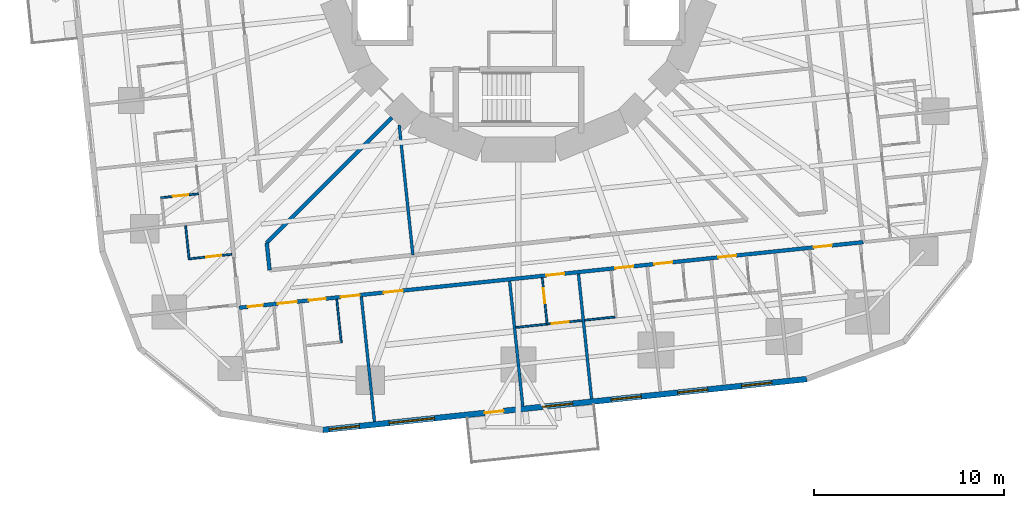
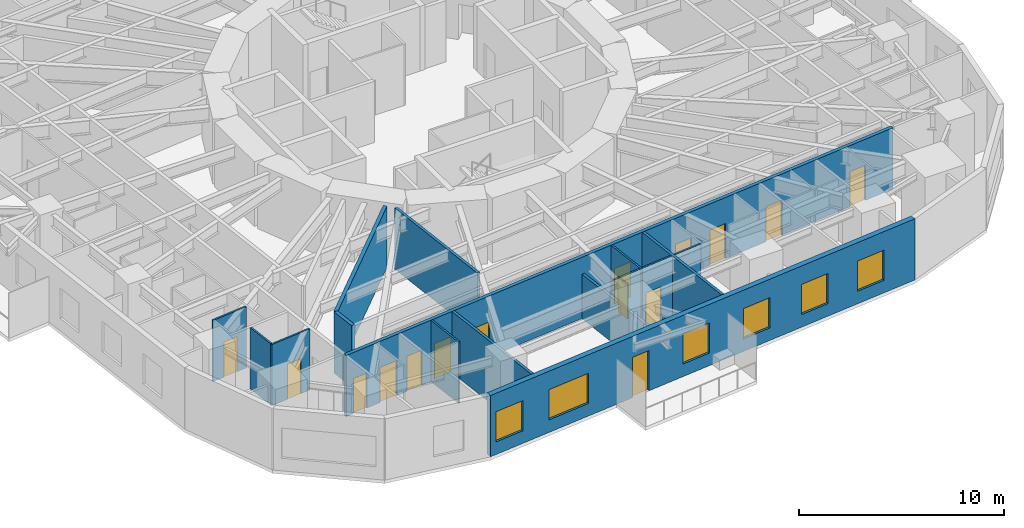
# One storey, part 5 of 14: 16 walls, 15 doors, 6 windows, 21 openings.
"""IFC4 building model written with IfcOpenShell, lengths in metres."""

from ifc_helpers import new_model, si_unit, direction, frame, frame_2d, origin, place, context, subcontext, project, spatial, rectangle, extrude, material, layer, layer_set, type_object, element, fill, save


model = new_model("IFC4")

# Units and contexts
model_context = context("Model", 3, precision=1e-05, world=origin(), true_north=direction((0.0, 1.0)))
body_context = subcontext(model_context, "Body", "Model", "MODEL_VIEW")
ifc_project = project(units=[si_unit("LENGTHUNIT", "METRE"), si_unit("AREAUNIT", "SQUARE_METRE"), si_unit("VOLUMEUNIT", "CUBIC_METRE"), si_unit("PLANEANGLEUNIT", "RADIAN"), si_unit("MASSUNIT", "GRAM", prefix="KILO")], contexts=[model_context])

# Site, building, storey
site_placement = place(None, origin())
site = spatial("IfcSite", under=ifc_project, at=site_placement, CompositionType="ELEMENT")
building_placement = place(site_placement, origin())
building = spatial("IfcBuilding", under=site, at=building_placement, Name="Nakasero Lantern House", CompositionType="ELEMENT")
storey_placement = place(building_placement, frame((0.0, 0.0, 87.449951171875)))
storey = spatial("IfcBuildingStorey", under=building, at=storey_placement, Name="L21", CompositionType="ELEMENT", Elevation=87.449951171875)

# Wall, openings, doors
ifc_material_1 = material(Name="Blockwork", Category="masonry")
ifc_layer_1 = layer(ifc_material_1, 0.199951171875)
ifc_layer_set_1 = layer_set([ifc_layer_1], Name="Corridor wall 200")
wall_type_1 = type_object("IfcWallType", Name="Corridor wall 200", PredefinedType="PARTITIONING", material=ifc_layer_set_1)
wall_1_placement = place(storey_placement, frame((-14.684814453125, -18.13427734375, 0.0), z_axis=(0.0, 0.0, 1.0), x_axis=(0.994521777723, 0.10452958258, 0.0)))
wall_1 = element("IfcWall", 1, at=wall_1_placement, inside=storey, type_object=wall_type_1, Name="Corridor wall L21 CW3", PredefinedType="PARTITIONING", context=body_context, shape_type="SweptSolid", body=[
    extrude(rectangle(XDim=32.999755859375, YDim=0.199951171875, at=frame_2d((16.5, 0.0))), origin(), (0.0, 0.0, 1.0), 3.650146484375),
])
opening_1_placement = place(wall_1_placement, frame((0.449951171875, 0.0, 0.0)))
opening_1 = element("IfcOpeningElement", 2, at=opening_1_placement, cuts=wall_1, Name="Opening D15", PredefinedType="OPENING", context=body_context, shape_type="SweptSolid", body=[
    extrude(rectangle(XDim=0.800048828125, YDim=2.10009765625, at=frame_2d((0.39990234375, 1.050048828125))), frame((0.0, 0.119873046875, 0.0), z_axis=(0.0, -1.0, 0.0), x_axis=(1.0, 0.0, 0.0)), (0.0, 0.0, 1.0), 0.239990234375),
])
opening_2_placement = place(wall_1_placement, frame((2.050048828125, 0.0, 0.0)))
opening_2 = element("IfcOpeningElement", 3, at=opening_2_placement, cuts=wall_1, Name="Opening D07", PredefinedType="OPENING", context=body_context, shape_type="SweptSolid", body=[
    extrude(rectangle(XDim=1.0, YDim=2.10009765625, at=frame_2d((0.5, 1.050048828125))), frame((0.0, 0.119873046875, 0.0), z_axis=(0.0, -1.0, 0.0), x_axis=(1.0, 0.0, 0.0)), (0.0, 0.0, 1.0), 0.239990234375),
])
opening_3_placement = place(wall_1_placement, frame((3.67529296875, 0.0, 0.0)))
opening_3 = element("IfcOpeningElement", 4, at=opening_3_placement, cuts=wall_1, Name="Opening D16", PredefinedType="OPENING", context=body_context, shape_type="SweptSolid", body=[
    extrude(rectangle(XDim=0.89990234375, YDim=2.10009765625, at=frame_2d((0.449951171875, 1.050048828125))), frame((0.0, 0.119873046875, 0.0), z_axis=(0.0, -1.0, 0.0), x_axis=(1.0, 0.0, 0.0)), (0.0, 0.0, 1.0), 0.239990234375),
])
opening_4_placement = place(wall_1_placement, frame((5.375244140625, 0.0, 0.0)))
opening_4 = element("IfcOpeningElement", 5, at=opening_4_placement, cuts=wall_1, Name="Opening D07", PredefinedType="OPENING", context=body_context, shape_type="SweptSolid", body=[
    extrude(rectangle(XDim=1.0, YDim=2.10009765625, at=frame_2d((0.5, 1.050048828125))), frame((0.0, 0.119873046875, 0.0), z_axis=(0.0, -1.0, 0.0), x_axis=(1.0, 0.0, 0.0)), (0.0, 0.0, 1.0), 0.239990234375),
])
opening_5_placement = place(wall_1_placement, frame((16.242919921875, 0.0, 0.0)))
opening_5 = element("IfcOpeningElement", 6, at=opening_5_placement, cuts=wall_1, Name="Opening D01", PredefinedType="OPENING", context=body_context, shape_type="SweptSolid", body=[
    extrude(rectangle(XDim=0.949951171875, YDim=2.10009765625, at=frame_2d((0.47509765625, 1.050048828125))), frame((0.0, 0.119873046875, 0.0), z_axis=(0.0, -1.0, 0.0), x_axis=(1.0, 0.0, 0.0)), (0.0, 0.0, 1.0), 0.239990234375),
])
opening_6_placement = place(wall_1_placement, frame((19.88134765625, 0.0, 0.0)))
opening_6 = element("IfcOpeningElement", 7, at=opening_6_placement, cuts=wall_1, Name="Opening D01", PredefinedType="OPENING", context=body_context, shape_type="SweptSolid", body=[
    extrude(rectangle(XDim=0.949951171875, YDim=2.10009765625, at=frame_2d((0.47509765625, 1.050048828125))), frame((0.0, 0.119873046875, 0.0), z_axis=(0.0, -1.0, 0.0), x_axis=(1.0, 0.0, 0.0)), (0.0, 0.0, 1.0), 0.239990234375),
])
opening_7_placement = place(wall_1_placement, frame((21.945068359375, 0.0, 0.0)))
opening_7 = element("IfcOpeningElement", 8, at=opening_7_placement, cuts=wall_1, Name="Opening D01", PredefinedType="OPENING", context=body_context, shape_type="SweptSolid", body=[
    extrude(rectangle(XDim=0.949951171875, YDim=2.10009765625, at=frame_2d((0.47509765625, 1.050048828125))), frame((0.0, 0.119873046875, 0.0), z_axis=(0.0, -1.0, 0.0), x_axis=(1.0, 0.0, 0.0)), (0.0, 0.0, 1.0), 0.239990234375),
])
opening_8_placement = place(wall_1_placement, frame((25.33056640625, 0.0, 0.0)))
opening_8 = element("IfcOpeningElement", 9, at=opening_8_placement, cuts=wall_1, Name="Opening D01", PredefinedType="OPENING", context=body_context, shape_type="SweptSolid", body=[
    extrude(rectangle(XDim=0.949951171875, YDim=2.10009765625, at=frame_2d((0.47509765625, 1.050048828125))), frame((0.0, 0.119873046875, 0.0), z_axis=(0.0, -1.0, 0.0), x_axis=(1.0, 0.0, 0.0)), (0.0, 0.0, 1.0), 0.239990234375),
])
opening_9_placement = place(wall_1_placement, frame((30.39111328125, 0.0, 0.0)))
opening_9 = element("IfcOpeningElement", 10, at=opening_9_placement, cuts=wall_1, Name="Opening D01", PredefinedType="OPENING", context=body_context, shape_type="SweptSolid", body=[
    extrude(rectangle(XDim=0.949951171875, YDim=2.10009765625, at=frame_2d((0.47509765625, 1.050048828125))), frame((0.0, 0.119873046875, 0.0), z_axis=(0.0, -1.0, 0.0), x_axis=(1.0, 0.0, 0.0)), (0.0, 0.0, 1.0), 0.239990234375),
])
opening_10_placement = place(wall_1_placement, frame((7.650634765625, 0.0, 0.0)))
opening_10 = element("IfcOpeningElement", 11, at=opening_10_placement, cuts=wall_1, Name="Opening D03", PredefinedType="OPENING", context=body_context, shape_type="SweptSolid", body=[
    extrude(rectangle(XDim=1.0, YDim=2.10009765625, at=frame_2d((0.5, 1.050048828125))), frame((0.0, 0.119873046875, 0.0), z_axis=(0.0, -1.0, 0.0), x_axis=(1.0, 0.0, 0.0)), (0.0, 0.0, 1.0), 0.239990234375),
])
ifc_material_2 = material(Name="Timber C24", Category="wood")
door_type_1 = type_object("IfcDoorType", Name="Accessible WC door 900", OperationType="SINGLE_SWING_RIGHT", PredefinedType="DOOR", material=ifc_material_2)
door_1_placement = place(opening_3_placement, origin())
door_1 = element("IfcDoor", 12, at=door_1_placement, inside=storey, type_object=door_type_1, Name="Door L21 DS3-01", OperationType="SINGLE_SWING_LEFT", OverallHeight=2.10009765625, OverallWidth=0.89990234375, PredefinedType="DOOR", context=body_context, shape_type="SweptSolid", body=[
    extrude(rectangle(XDim=0.89990234375, YDim=2.10009765625, at=frame_2d((0.449951171875, 1.050048828125))), frame((0.0, 0.02490234375, 0.0), z_axis=(0.0, -1.0, 0.0), x_axis=(1.0, 0.0, 0.0)), (0.0, 0.0, 1.0), 0.050048828125),
])
fill(opening_3, door_1)
ifc_material_3 = material(Name="Timber C24", Category="wood")
door_type_2 = type_object("IfcDoorType", Name="Bedroom door FD30S 950", OperationType="SINGLE_SWING_LEFT", PredefinedType="DOOR", material=ifc_material_3)
door_2_placement = place(opening_5_placement, origin())
door_2 = element("IfcDoor", 13, at=door_2_placement, inside=storey, type_object=door_type_2, Name="Door L21 D3-04", OperationType="SINGLE_SWING_RIGHT", OverallHeight=2.10009765625, OverallWidth=0.949951171875, PredefinedType="DOOR", context=body_context, shape_type="SweptSolid", body=[
    extrude(rectangle(XDim=0.949951171875, YDim=2.10009765625, at=frame_2d((0.47509765625, 1.050048828125))), frame((0.0, 0.02490234375, 0.0), z_axis=(0.0, -1.0, 0.0), x_axis=(1.0, 0.0, 0.0)), (0.0, 0.0, 1.0), 0.050048828125),
])
fill(opening_5, door_2)
door_3_placement = place(opening_6_placement, origin())
door_3 = element("IfcDoor", 14, at=door_3_placement, inside=storey, type_object=door_type_2, Name="Door L21 D3-05", OperationType="SINGLE_SWING_RIGHT", OverallHeight=2.10009765625, OverallWidth=0.949951171875, PredefinedType="DOOR", context=body_context, shape_type="SweptSolid", body=[
    extrude(rectangle(XDim=0.949951171875, YDim=2.10009765625, at=frame_2d((0.47509765625, 1.050048828125))), frame((0.0, 0.02490234375, 0.0), z_axis=(0.0, -1.0, 0.0), x_axis=(1.0, 0.0, 0.0)), (0.0, 0.0, 1.0), 0.050048828125),
])
fill(opening_6, door_3)
door_4_placement = place(opening_7_placement, origin())
door_4 = element("IfcDoor", 15, at=door_4_placement, inside=storey, type_object=door_type_2, Name="Door L21 D3-06", OperationType="SINGLE_SWING_RIGHT", OverallHeight=2.10009765625, OverallWidth=0.949951171875, PredefinedType="DOOR", context=body_context, shape_type="SweptSolid", body=[
    extrude(rectangle(XDim=0.949951171875, YDim=2.10009765625, at=frame_2d((0.47509765625, 1.050048828125))), frame((0.0, 0.02490234375, 0.0), z_axis=(0.0, -1.0, 0.0), x_axis=(1.0, 0.0, 0.0)), (0.0, 0.0, 1.0), 0.050048828125),
])
fill(opening_7, door_4)
door_5_placement = place(opening_8_placement, origin())
door_5 = element("IfcDoor", 16, at=door_5_placement, inside=storey, type_object=door_type_2, Name="Door L21 D3-07", OperationType="SINGLE_SWING_RIGHT", OverallHeight=2.10009765625, OverallWidth=0.949951171875, PredefinedType="DOOR", context=body_context, shape_type="SweptSolid", body=[
    extrude(rectangle(XDim=0.949951171875, YDim=2.10009765625, at=frame_2d((0.47509765625, 1.050048828125))), frame((0.0, 0.02490234375, 0.0), z_axis=(0.0, -1.0, 0.0), x_axis=(1.0, 0.0, 0.0)), (0.0, 0.0, 1.0), 0.050048828125),
])
fill(opening_8, door_5)
door_6_placement = place(opening_9_placement, origin())
door_6 = element("IfcDoor", 17, at=door_6_placement, inside=storey, type_object=door_type_2, Name="Door L21 D3-08", OperationType="SINGLE_SWING_RIGHT", OverallHeight=2.10009765625, OverallWidth=0.949951171875, PredefinedType="DOOR", context=body_context, shape_type="SweptSolid", body=[
    extrude(rectangle(XDim=0.949951171875, YDim=2.10009765625, at=frame_2d((0.47509765625, 1.050048828125))), frame((0.0, 0.02490234375, 0.0), z_axis=(0.0, -1.0, 0.0), x_axis=(1.0, 0.0, 0.0)), (0.0, 0.0, 1.0), 0.050048828125),
])
fill(opening_9, door_6)
ifc_material_4 = material(Name="Timber C24", Category="wood")
door_type_3 = type_object("IfcDoorType", Name="Cleaner's store door FD30S 800", OperationType="SINGLE_SWING_LEFT", PredefinedType="DOOR", material=ifc_material_4)
door_7_placement = place(opening_1_placement, origin())
door_7 = element("IfcDoor", 18, at=door_7_placement, inside=storey, type_object=door_type_3, Name="Door L21 DS3-00", OperationType="SINGLE_SWING_LEFT", OverallHeight=2.10009765625, OverallWidth=0.800048828125, PredefinedType="DOOR", context=body_context, shape_type="SweptSolid", body=[
    extrude(rectangle(XDim=0.800048828125, YDim=2.10009765625, at=frame_2d((0.39990234375, 1.050048828125))), frame((0.0, 0.02490234375, 0.0), z_axis=(0.0, -1.0, 0.0), x_axis=(1.0, 0.0, 0.0)), (0.0, 0.0, 1.0), 0.050048828125),
])
fill(opening_1, door_7)
ifc_material_5 = material(Name="Timber C24", Category="wood")
door_type_4 = type_object("IfcDoorType", Name="Lounge door FD30S 1000", OperationType="SINGLE_SWING_LEFT", PredefinedType="DOOR", material=ifc_material_5)
door_8_placement = place(opening_10_placement, origin())
door_8 = element("IfcDoor", 19, at=door_8_placement, inside=storey, type_object=door_type_4, Name="Door L21 DK3", OperationType="SINGLE_SWING_LEFT", OverallHeight=2.10009765625, OverallWidth=1.0, PredefinedType="DOOR", context=body_context, shape_type="SweptSolid", body=[
    extrude(rectangle(XDim=1.0, YDim=2.10009765625, at=frame_2d((0.5, 1.050048828125))), frame((0.0, 0.02490234375, 0.0), z_axis=(0.0, -1.0, 0.0), x_axis=(1.0, 0.0, 0.0)), (0.0, 0.0, 1.0), 0.050048828125),
])
fill(opening_10, door_8)
ifc_material_6 = material(Name="Timber C24", Category="wood")
door_type_5 = type_object("IfcDoorType", Name="Room door FD30S 1000", OperationType="SINGLE_SWING_LEFT", PredefinedType="DOOR", material=ifc_material_6)
door_9_placement = place(opening_2_placement, origin())
door_9 = element("IfcDoor", 20, at=door_9_placement, inside=storey, type_object=door_type_5, Name="Door L21 D3-00", OperationType="SINGLE_SWING_LEFT", OverallHeight=2.10009765625, OverallWidth=1.0, PredefinedType="DOOR", context=body_context, shape_type="SweptSolid", body=[
    extrude(rectangle(XDim=1.0, YDim=2.10009765625, at=frame_2d((0.5, 1.050048828125))), frame((0.0, 0.02490234375, 0.0), z_axis=(0.0, -1.0, 0.0), x_axis=(1.0, 0.0, 0.0)), (0.0, 0.0, 1.0), 0.050048828125),
])
fill(opening_2, door_9)
door_10_placement = place(opening_4_placement, origin())
door_10 = element("IfcDoor", 21, at=door_10_placement, inside=storey, type_object=door_type_5, Name="Door L21 D3-01", OperationType="SINGLE_SWING_LEFT", OverallHeight=2.10009765625, OverallWidth=1.0, PredefinedType="DOOR", context=body_context, shape_type="SweptSolid", body=[
    extrude(rectangle(XDim=1.0, YDim=2.10009765625, at=frame_2d((0.5, 1.050048828125))), frame((0.0, 0.02490234375, 0.0), z_axis=(0.0, -1.0, 0.0), x_axis=(1.0, 0.0, 0.0)), (0.0, 0.0, 1.0), 0.050048828125),
])
fill(opening_4, door_10)

# Walls
wall_2_placement = place(storey_placement, frame((-13.23388671875, -14.718994140625, 0.0), z_axis=(0.0, 0.0, 1.0), x_axis=(0.104420916302, -0.994533193131, 0.0)))
element("IfcWall", 22, at=wall_2_placement, inside=storey, type_object=wall_type_1, Name="Corridor wall L21 IW2-1", PredefinedType="PARTITIONING", context=body_context, shape_type="SweptSolid", body=[
    extrude(rectangle(XDim=1.44482421875, YDim=0.199951171875, at=frame_2d((0.722412109375, 0.0))), origin(), (0.0, 0.0, 1.0), 3.650146484375),
])
wall_3_placement = place(storey_placement, frame((-6.65234375, -8.13720703125, 0.0), z_axis=(0.0, 0.0, 1.0), x_axis=(-0.707093666337, -0.707119895793, 0.0)))
element("IfcWall", 23, at=wall_3_placement, inside=storey, type_object=wall_type_1, Name="Corridor wall L21 PS10a", PredefinedType="PARTITIONING", context=body_context, shape_type="SweptSolid", body=[
    extrude(rectangle(XDim=9.307861328125, YDim=0.199951171875, at=frame_2d((4.65380859375, 0.0))), origin(), (0.0, 0.0, 1.0), 3.650146484375),
])

# Wall, opening, door
ifc_material_7 = material(Name="Blockwork", Category="masonry")
ifc_layer_2 = layer(ifc_material_7, 0.10009765625)
ifc_layer_set_2 = layer_set([ifc_layer_2], Name="En-suite wall 100")
wall_type_2 = type_object("IfcWallType", Name="En-suite wall 100", PredefinedType="PARTITIONING", material=ifc_layer_set_2)
wall_4_placement = place(storey_placement, frame((-16.822998046875, -12.14111328125, 0.0), z_axis=(0.0, 0.0, 1.0), x_axis=(-0.99452550138, -0.104494148666, 0.0)))
wall_4 = element("IfcWall", 24, at=wall_4_placement, inside=storey, type_object=wall_type_2, Name="En-suite wall L21 ES2-07", PredefinedType="PARTITIONING", context=body_context, shape_type="SweptSolid", body=[
    extrude(rectangle(XDim=2.0, YDim=0.10009765625, at=frame_2d((1.0, 0.0))), origin(), (0.0, 0.0, 1.0), 3.650146484375),
])
opening_11_placement = place(wall_4_placement, frame((0.550048828125, 0.0, 0.0)))
opening_11 = element("IfcOpeningElement", 25, at=opening_11_placement, cuts=wall_4, Name="Opening D02", PredefinedType="OPENING", context=body_context, shape_type="SweptSolid", body=[
    extrude(rectangle(XDim=0.800048828125, YDim=2.10009765625, at=frame_2d((0.39990234375, 1.050048828125))), frame((0.0, 0.070068359375, 0.0), z_axis=(0.0, -1.0, 0.0), x_axis=(1.0, 0.0, 0.0)), (0.0, 0.0, 1.0), 0.14013671875),
])
ifc_material_8 = material(Name="Timber C24", Category="wood")
door_type_6 = type_object("IfcDoorType", Name="En-suite door 800", OperationType="SINGLE_SWING_RIGHT", PredefinedType="DOOR", material=ifc_material_8)
door_11_placement = place(opening_11_placement, origin())
door_11 = element("IfcDoor", 26, at=door_11_placement, inside=storey, type_object=door_type_6, Name="Door L21 DE2-07", OperationType="SINGLE_SWING_LEFT", OverallHeight=2.10009765625, OverallWidth=0.800048828125, PredefinedType="DOOR", context=body_context, shape_type="SweptSolid", body=[
    extrude(rectangle(XDim=0.800048828125, YDim=2.10009765625, at=frame_2d((0.39990234375, 1.050048828125))), frame((0.0, 0.02490234375, 0.0), z_axis=(0.0, -1.0, 0.0), x_axis=(1.0, 0.0, 0.0)), (0.0, 0.0, 1.0), 0.050048828125),
])
fill(opening_11, door_11)

wall_5_placement = place(storey_placement, frame((-15.08056640625, -15.326416015625, 0.0), z_axis=(0.0, 0.0, 1.0), x_axis=(-0.994518822602, -0.104557694553, 0.0)))
wall_5 = element("IfcWall", 27, at=wall_5_placement, inside=storey, type_object=wall_type_2, Name="En-suite wall L21 ES2-08", PredefinedType="PARTITIONING", context=body_context, shape_type="SweptSolid", body=[
    extrude(rectangle(XDim=2.300048828125, YDim=0.10009765625, at=frame_2d((1.14990234375, 0.0))), origin(), (0.0, 0.0, 1.0), 3.650146484375),
])
opening_12_placement = place(wall_5_placement, frame((0.550048828125, 0.0, 0.0)))
opening_12 = element("IfcOpeningElement", 28, at=opening_12_placement, cuts=wall_5, Name="Opening D02", PredefinedType="OPENING", context=body_context, shape_type="SweptSolid", body=[
    extrude(rectangle(XDim=0.800048828125, YDim=2.10009765625, at=frame_2d((0.39990234375, 1.050048828125))), frame((0.0, 0.070068359375, 0.0), z_axis=(0.0, -1.0, 0.0), x_axis=(1.0, 0.0, 0.0)), (0.0, 0.0, 1.0), 0.14013671875),
])
door_12_placement = place(opening_12_placement, origin())
door_12 = element("IfcDoor", 29, at=door_12_placement, inside=storey, type_object=door_type_6, Name="Door L21 DE2-08", OperationType="SINGLE_SWING_LEFT", OverallHeight=2.10009765625, OverallWidth=0.800048828125, PredefinedType="DOOR", context=body_context, shape_type="SweptSolid", body=[
    extrude(rectangle(XDim=0.800048828125, YDim=2.10009765625, at=frame_2d((0.39990234375, 1.050048828125))), frame((0.0, 0.02490234375, 0.0), z_axis=(0.0, -1.0, 0.0), x_axis=(1.0, 0.0, 0.0)), (0.0, 0.0, 1.0), 0.050048828125),
])
fill(opening_12, door_12)

# Walls
wall_6_placement = place(storey_placement, frame((-17.501220703125, -13.8212890625, 0.0), z_axis=(0.0, 0.0, 1.0), x_axis=(0.104550220202, -0.994519608382, 0.0)))
element("IfcWall", 30, at=wall_6_placement, inside=storey, type_object=wall_type_2, Name="En-suite wall L21 EE2-08", PredefinedType="PARTITIONING", context=body_context, shape_type="SweptSolid", body=[
    extrude(rectangle(XDim=1.699951171875, YDim=0.10009765625, at=frame_2d((0.85009765625, 0.0))), origin(), (0.0, 0.0, 1.0), 3.650146484375),
])
wall_7_placement = place(storey_placement, frame((-9.55224609375, -17.6953125, 0.0), z_axis=(0.0, 0.0, 1.0), x_axis=(0.104441677364, -0.994531013106, 0.0)))
element("IfcWall", 31, at=wall_7_placement, inside=storey, type_object=wall_type_2, Name="En-suite wall L21 ES3-01", PredefinedType="PARTITIONING", context=body_context, shape_type="SweptSolid", body=[
    extrude(rectangle(XDim=2.30029296875, YDim=0.10009765625, at=frame_2d((1.150146484375, 0.0))), origin(), (0.0, 0.0, 1.0), 3.650146484375),
])

# Wall, opening, door
wall_8_placement = place(storey_placement, frame((1.255615234375, -16.5595703125, 0.0), z_axis=(0.0, 0.0, 1.0), x_axis=(0.104501760842, -0.994524701544, 0.0)))
wall_8 = element("IfcWall", 32, at=wall_8_placement, inside=storey, type_object=wall_type_2, Name="En-suite wall L21 ES3-04", PredefinedType="PARTITIONING", context=body_context, shape_type="SweptSolid", body=[
    extrude(rectangle(XDim=2.499755859375, YDim=0.10009765625, at=frame_2d((1.25, 0.0))), origin(), (0.0, 0.0, 1.0), 3.650146484375),
])
opening_13_placement = place(wall_8_placement, frame((0.550048828125, 0.0, 0.0)))
opening_13 = element("IfcOpeningElement", 33, at=opening_13_placement, cuts=wall_8, Name="Opening D02", PredefinedType="OPENING", context=body_context, shape_type="SweptSolid", body=[
    extrude(rectangle(XDim=0.800048828125, YDim=2.10009765625, at=frame_2d((0.39990234375, 1.050048828125))), frame((0.0, 0.070068359375, 0.0), z_axis=(0.0, -1.0, 0.0), x_axis=(1.0, 0.0, 0.0)), (0.0, 0.0, 1.0), 0.14013671875),
])
door_13_placement = place(opening_13_placement, origin())
door_13 = element("IfcDoor", 34, at=door_13_placement, inside=storey, type_object=door_type_6, Name="Door L21 DE3-04", OperationType="SINGLE_SWING_LEFT", OverallHeight=2.10009765625, OverallWidth=0.800048828125, PredefinedType="DOOR", context=body_context, shape_type="SweptSolid", body=[
    extrude(rectangle(XDim=0.800048828125, YDim=2.10009765625, at=frame_2d((0.39990234375, 1.050048828125))), frame((0.0, 0.02490234375, 0.0), z_axis=(0.0, -1.0, 0.0), x_axis=(1.0, 0.0, 0.0)), (0.0, 0.0, 1.0), 0.050048828125),
])
fill(opening_13, door_13)

# Walls
for number, where, z_axis, x_axis, name in (
    (35, (-0.129150390625, -19.16845703125, 0.0), (0.0, 0.0, 1.0), (0.994521329025, 0.104533851524, 0.0), "En-suite wall L21 EE3-04"),
    (36, (3.489501953125, -18.7880859375, 0.0), (0.0, 0.0, 1.0), (0.994521329025, 0.104533851524, 0.0), "En-suite wall L21 EE3-05"),
):
    element("IfcWall", number, at=place(storey_placement, frame(where, z_axis=z_axis, x_axis=x_axis)), inside=storey, type_object=wall_type_2, Name=name, PredefinedType="PARTITIONING", context=body_context, shape_type="SweptSolid", body=[
        extrude(rectangle(XDim=1.599853515625, YDim=0.10009765625, at=frame_2d((0.7998046875, 0.0))), origin(), (0.0, 0.0, 1.0), 3.650146484375),
    ])

# Wall, opening, door
wall_9_placement = place(storey_placement, frame((1.5615234375, -18.99072265625, 0.0), z_axis=(0.0, 0.0, 1.0), x_axis=(0.99453309198, 0.104421879682, 0.0)))
wall_9 = element("IfcWall", 37, at=wall_9_placement, inside=storey, type_object=wall_type_2, Name="En-suite wall L21 EL3-04", PredefinedType="PARTITIONING", context=body_context, shape_type="SweptSolid", body=[
    extrude(rectangle(XDim=1.78857421875, YDim=0.10009765625, at=frame_2d((0.894287109375, 0.0))), origin(), (0.0, 0.0, 1.0), 3.650146484375),
])
opening_14_placement = place(wall_9_placement, frame((0.199951171875, 0.0, 0.0)))
opening_14 = element("IfcOpeningElement", 38, at=opening_14_placement, cuts=wall_9, Name="Opening D17", PredefinedType="OPENING", context=body_context, shape_type="SweptSolid", body=[
    extrude(rectangle(XDim=0.89990234375, YDim=2.10009765625, at=frame_2d((0.449951171875, 1.050048828125))), frame((0.0, 0.070068359375, 0.0), z_axis=(0.0, -1.0, 0.0), x_axis=(1.0, 0.0, 0.0)), (0.0, 0.0, 1.0), 0.14013671875),
])
ifc_material_9 = material(Name="Timber C24", Category="wood")
door_type_7 = type_object("IfcDoorType", Name="Bedroom door FD30S 900", OperationType="SINGLE_SWING_LEFT", PredefinedType="DOOR", material=ifc_material_9)
door_14_placement = place(opening_14_placement, origin())
door_14 = element("IfcDoor", 39, at=door_14_placement, inside=storey, type_object=door_type_7, Name="Door L21 DL3-04", OperationType="SINGLE_SWING_LEFT", OverallHeight=2.10009765625, OverallWidth=0.89990234375, PredefinedType="DOOR", context=body_context, shape_type="SweptSolid", body=[
    extrude(rectangle(XDim=0.89990234375, YDim=2.10009765625, at=frame_2d((0.449951171875, 1.050048828125))), frame((0.0, 0.02490234375, 0.0), z_axis=(0.0, -1.0, 0.0), x_axis=(1.0, 0.0, 0.0)), (0.0, 0.0, 1.0), 0.050048828125),
])
fill(opening_14, door_14)

# Wall, openings, door, windows
ifc_material_10 = material(Name="Aluminium rainscreen on blockwork", Category="masonry")
ifc_layer_3 = layer(ifc_material_10, 0.300048828125)
ifc_layer_set_3 = layer_set([ifc_layer_3], Name="Facade wall 300")
wall_type_3 = type_object("IfcWallType", Name="Facade wall 300", PredefinedType="SOLIDWALL", material=ifc_layer_set_3)
wall_10_placement = place(storey_placement, frame((-10.2890625, -24.56005859375, 0.0), z_axis=(0.0, 0.0, 1.0), x_axis=(0.994521483895, 0.104532378096, 0.0)))
wall_10 = element("IfcWall", 40, at=wall_10_placement, inside=storey, type_object=wall_type_3, Name="Facade wall L21 FW3S", PredefinedType="SOLIDWALL", context=body_context, shape_type="SweptSolid", body=[
    extrude(rectangle(XDim=25.599853515625, YDim=0.300048828125, at=frame_2d((12.7998046875, 0.0))), origin(), (0.0, 0.0, 1.0), 3.650146484375),
])
opening_15_placement = place(wall_10_placement, frame((0.337890625, 0.0, 0.75)))
opening_15 = element("IfcOpeningElement", 41, at=opening_15_placement, cuts=wall_10, Name="Opening W01", PredefinedType="OPENING", context=body_context, shape_type="SweptSolid", body=[
    extrude(rectangle(XDim=1.60009765625, YDim=1.800048828125, at=frame_2d((0.800048828125, 0.89990234375))), frame((0.0, 0.169921875, 0.0), z_axis=(0.0, -1.0, 0.0), x_axis=(1.0, 0.0, 0.0)), (0.0, 0.0, 1.0), 0.340087890625),
])
opening_16_placement = place(wall_10_placement, frame((11.612060546875, 0.0, 0.75)))
opening_16 = element("IfcOpeningElement", 42, at=opening_16_placement, cuts=wall_10, Name="Opening W01", PredefinedType="OPENING", context=body_context, shape_type="SweptSolid", body=[
    extrude(rectangle(XDim=1.60009765625, YDim=1.800048828125, at=frame_2d((0.800048828125, 0.89990234375))), frame((0.0, 0.169921875, 0.0), z_axis=(0.0, -1.0, 0.0), x_axis=(1.0, 0.0, 0.0)), (0.0, 0.0, 1.0), 0.340087890625),
])
opening_17_placement = place(wall_10_placement, frame((15.250732421875, 0.0, 0.75)))
opening_17 = element("IfcOpeningElement", 43, at=opening_17_placement, cuts=wall_10, Name="Opening W01", PredefinedType="OPENING", context=body_context, shape_type="SweptSolid", body=[
    extrude(rectangle(XDim=1.60009765625, YDim=1.800048828125, at=frame_2d((0.800048828125, 0.89990234375))), frame((0.0, 0.169921875, 0.0), z_axis=(0.0, -1.0, 0.0), x_axis=(1.0, 0.0, 0.0)), (0.0, 0.0, 1.0), 0.340087890625),
])
opening_18_placement = place(wall_10_placement, frame((18.7626953125, 0.0, 0.75)))
opening_18 = element("IfcOpeningElement", 44, at=opening_18_placement, cuts=wall_10, Name="Opening W01", PredefinedType="OPENING", context=body_context, shape_type="SweptSolid", body=[
    extrude(rectangle(XDim=1.60009765625, YDim=1.800048828125, at=frame_2d((0.800048828125, 0.89990234375))), frame((0.0, 0.169921875, 0.0), z_axis=(0.0, -1.0, 0.0), x_axis=(1.0, 0.0, 0.0)), (0.0, 0.0, 1.0), 0.340087890625),
])
opening_19_placement = place(wall_10_placement, frame((22.1484375, 0.0, 0.75)))
opening_19 = element("IfcOpeningElement", 45, at=opening_19_placement, cuts=wall_10, Name="Opening W01", PredefinedType="OPENING", context=body_context, shape_type="SweptSolid", body=[
    extrude(rectangle(XDim=1.60009765625, YDim=1.800048828125, at=frame_2d((0.800048828125, 0.89990234375))), frame((0.0, 0.169921875, 0.0), z_axis=(0.0, -1.0, 0.0), x_axis=(1.0, 0.0, 0.0)), (0.0, 0.0, 1.0), 0.340087890625),
])
opening_20_placement = place(wall_10_placement, frame((3.51123046875, 0.0, 0.75)))
opening_20 = element("IfcOpeningElement", 46, at=opening_20_placement, cuts=wall_10, Name="Opening W03", PredefinedType="OPENING", context=body_context, shape_type="SweptSolid", body=[
    extrude(rectangle(XDim=2.39990234375, YDim=1.800048828125, at=frame_2d((1.199951171875, 0.89990234375))), frame((0.0, 0.169921875, 0.0), z_axis=(0.0, -1.0, 0.0), x_axis=(1.0, 0.0, 0.0)), (0.0, 0.0, 1.0), 0.340087890625),
])
opening_21_placement = place(wall_10_placement, frame((8.558837890625, 0.0, 0.0)))
opening_21 = element("IfcOpeningElement", 47, at=opening_21_placement, cuts=wall_10, Name="Opening D04", PredefinedType="OPENING", context=body_context, shape_type="SweptSolid", body=[
    extrude(rectangle(XDim=1.0, YDim=2.39990234375, at=frame_2d((0.5, 1.199951171875))), frame((0.0, 0.169921875, 0.0), z_axis=(0.0, -1.0, 0.0), x_axis=(1.0, 0.0, 0.0)), (0.0, 0.0, 1.0), 0.340087890625),
])
ifc_material_11 = material(Name="Aluminium 6063-T6 and glass", Category="aluminium")
door_type_8 = type_object("IfcDoorType", Name="Balcony door 1000x2400", OperationType="SINGLE_SWING_RIGHT", PredefinedType="DOOR", material=ifc_material_11)
door_15_placement = place(opening_21_placement, origin())
door_15 = element("IfcDoor", 48, at=door_15_placement, inside=storey, type_object=door_type_8, Name="Balcony door L21 DB3", OperationType="SINGLE_SWING_RIGHT", OverallHeight=2.39990234375, OverallWidth=1.0, PredefinedType="DOOR", context=body_context, shape_type="SweptSolid", body=[
    extrude(rectangle(XDim=1.0, YDim=2.39990234375, at=frame_2d((0.5, 1.199951171875))), frame((0.0, 0.02490234375, 0.0), z_axis=(0.0, -1.0, 0.0), x_axis=(1.0, 0.0, 0.0)), (0.0, 0.0, 1.0), 0.050048828125),
])
fill(opening_21, door_15)
ifc_material_12 = material(Name="Aluminium 6063-T6 and glass", Category="aluminium")
window_type_1 = type_object("IfcWindowType", Name="Bedroom window 1600x1800", PartitioningType="SINGLE_PANEL", PredefinedType="WINDOW", material=ifc_material_12)
window_1_placement = place(opening_15_placement, origin())
window_1 = element("IfcWindow", 49, at=window_1_placement, inside=storey, type_object=window_type_1, Name="Window L21 WN3-01", OverallHeight=1.800048828125, OverallWidth=1.60009765625, PartitioningType="SINGLE_PANEL", PredefinedType="WINDOW", context=body_context, shape_type="SweptSolid", body=[
    extrude(rectangle(XDim=1.60009765625, YDim=1.800048828125, at=frame_2d((0.800048828125, 0.89990234375))), frame((0.0, 0.030029296875, 0.0), z_axis=(0.0, -1.0, 0.0), x_axis=(1.0, 0.0, 0.0)), (0.0, 0.0, 1.0), 0.06005859375),
])
fill(opening_15, window_1)
window_2_placement = place(opening_16_placement, origin())
window_2 = element("IfcWindow", 50, at=window_2_placement, inside=storey, type_object=window_type_1, Name="Window L21 WN3-04", OverallHeight=1.800048828125, OverallWidth=1.60009765625, PartitioningType="SINGLE_PANEL", PredefinedType="WINDOW", context=body_context, shape_type="SweptSolid", body=[
    extrude(rectangle(XDim=1.60009765625, YDim=1.800048828125, at=frame_2d((0.800048828125, 0.89990234375))), frame((0.0, 0.030029296875, 0.0), z_axis=(0.0, -1.0, 0.0), x_axis=(1.0, 0.0, 0.0)), (0.0, 0.0, 1.0), 0.06005859375),
])
fill(opening_16, window_2)
window_3_placement = place(opening_17_placement, origin())
window_3 = element("IfcWindow", 51, at=window_3_placement, inside=storey, type_object=window_type_1, Name="Window L21 WN3-05", OverallHeight=1.800048828125, OverallWidth=1.60009765625, PartitioningType="SINGLE_PANEL", PredefinedType="WINDOW", context=body_context, shape_type="SweptSolid", body=[
    extrude(rectangle(XDim=1.60009765625, YDim=1.800048828125, at=frame_2d((0.800048828125, 0.89990234375))), frame((0.0, 0.030029296875, 0.0), z_axis=(0.0, -1.0, 0.0), x_axis=(1.0, 0.0, 0.0)), (0.0, 0.0, 1.0), 0.06005859375),
])
fill(opening_17, window_3)
window_4_placement = place(opening_18_placement, origin())
window_4 = element("IfcWindow", 52, at=window_4_placement, inside=storey, type_object=window_type_1, Name="Window L21 WN3-06", OverallHeight=1.800048828125, OverallWidth=1.60009765625, PartitioningType="SINGLE_PANEL", PredefinedType="WINDOW", context=body_context, shape_type="SweptSolid", body=[
    extrude(rectangle(XDim=1.60009765625, YDim=1.800048828125, at=frame_2d((0.800048828125, 0.89990234375))), frame((0.0, 0.030029296875, 0.0), z_axis=(0.0, -1.0, 0.0), x_axis=(1.0, 0.0, 0.0)), (0.0, 0.0, 1.0), 0.06005859375),
])
fill(opening_18, window_4)
window_5_placement = place(opening_19_placement, origin())
window_5 = element("IfcWindow", 53, at=window_5_placement, inside=storey, type_object=window_type_1, Name="Window L21 WN3-07", OverallHeight=1.800048828125, OverallWidth=1.60009765625, PartitioningType="SINGLE_PANEL", PredefinedType="WINDOW", context=body_context, shape_type="SweptSolid", body=[
    extrude(rectangle(XDim=1.60009765625, YDim=1.800048828125, at=frame_2d((0.800048828125, 0.89990234375))), frame((0.0, 0.030029296875, 0.0), z_axis=(0.0, -1.0, 0.0), x_axis=(1.0, 0.0, 0.0)), (0.0, 0.0, 1.0), 0.06005859375),
])
fill(opening_19, window_5)
ifc_material_13 = material(Name="Aluminium 6063-T6 and glass", Category="aluminium")
window_type_2 = type_object("IfcWindowType", Name="Lounge window 2400x1800", PartitioningType="SINGLE_PANEL", PredefinedType="WINDOW", material=ifc_material_13)
window_6_placement = place(opening_20_placement, origin())
window_6 = element("IfcWindow", 54, at=window_6_placement, inside=storey, type_object=window_type_2, Name="Window L21 WK3", OverallHeight=1.800048828125, OverallWidth=2.39990234375, PartitioningType="SINGLE_PANEL", PredefinedType="WINDOW", context=body_context, shape_type="SweptSolid", body=[
    extrude(rectangle(XDim=2.39990234375, YDim=1.800048828125, at=frame_2d((1.199951171875, 0.89990234375))), frame((0.0, 0.030029296875, 0.0), z_axis=(0.0, -1.0, 0.0), x_axis=(1.0, 0.0, 0.0)), (0.0, 0.0, 1.0), 0.06005859375),
])
fill(opening_20, window_6)

# Walls
ifc_material_14 = material(Name="Blockwork", Category="masonry")
ifc_layer_4 = layer(ifc_material_14, 0.14990234375)
ifc_layer_set_4 = layer_set([ifc_layer_4], Name="Party wall 150")
wall_type_4 = type_object("IfcWallType", Name="Party wall 150", PredefinedType="PARTITIONING", material=ifc_layer_set_4)
wall_11_placement = place(storey_placement, frame((-8.25927734375, -17.5595703125, 0.0), z_axis=(0.0, 0.0, 1.0), x_axis=(0.104538438287, -0.994520846901, 0.0)))
element("IfcWall", 55, at=wall_11_placement, inside=storey, type_object=wall_type_4, Name="Party wall L21 PW3-02", PredefinedType="PARTITIONING", context=body_context, shape_type="SweptSolid", body=[
    extrude(rectangle(XDim=6.599853515625, YDim=0.14990234375, at=frame_2d((3.2998046875, 0.0))), origin(), (0.0, 0.0, 1.0), 3.650146484375),
])
wall_12_placement = place(storey_placement, frame((-0.4599609375, -16.73974609375, 0.0), z_axis=(0.0, 0.0, 1.0), x_axis=(0.104534592565, -0.994521251134, 0.0)))
element("IfcWall", 56, at=wall_12_placement, inside=storey, type_object=wall_type_4, Name="Party wall L21 PW3-04", PredefinedType="PARTITIONING", context=body_context, shape_type="SweptSolid", body=[
    extrude(rectangle(XDim=6.60009765625, YDim=0.14990234375, at=frame_2d((3.300048828125, 0.0))), origin(), (0.0, 0.0, 1.0), 2.650146484375),
])
wall_13_placement = place(storey_placement, frame((3.15869140625, -16.359375, 0.0), z_axis=(0.0, 0.0, 1.0), x_axis=(0.104534592565, -0.994521251134, 0.0)))
element("IfcWall", 57, at=wall_13_placement, inside=storey, type_object=wall_type_4, Name="Party wall L21 PW3-05", PredefinedType="PARTITIONING", context=body_context, shape_type="SweptSolid", body=[
    extrude(rectangle(XDim=6.60009765625, YDim=0.14990234375, at=frame_2d((3.300048828125, 0.0))), origin(), (0.0, 0.0, 1.0), 3.650146484375),
])
wall_14_placement = place(storey_placement, frame((-6.267822265625, -8.52197265625, 0.0), z_axis=(0.0, 0.0, 1.0), x_axis=(0.10454070199, -0.994520608951, 0.0)))
element("IfcWall", 58, at=wall_14_placement, inside=storey, type_object=wall_type_4, Name="Party wall L21 IS1", PredefinedType="PARTITIONING", context=body_context, shape_type="SweptSolid", body=[
    extrude(rectangle(XDim=6.8798828125, YDim=0.14990234375, at=frame_2d((3.43994140625, 0.0))), origin(), (0.0, 0.0, 1.0), 3.650146484375),
])

save(model, "model.ifc")
